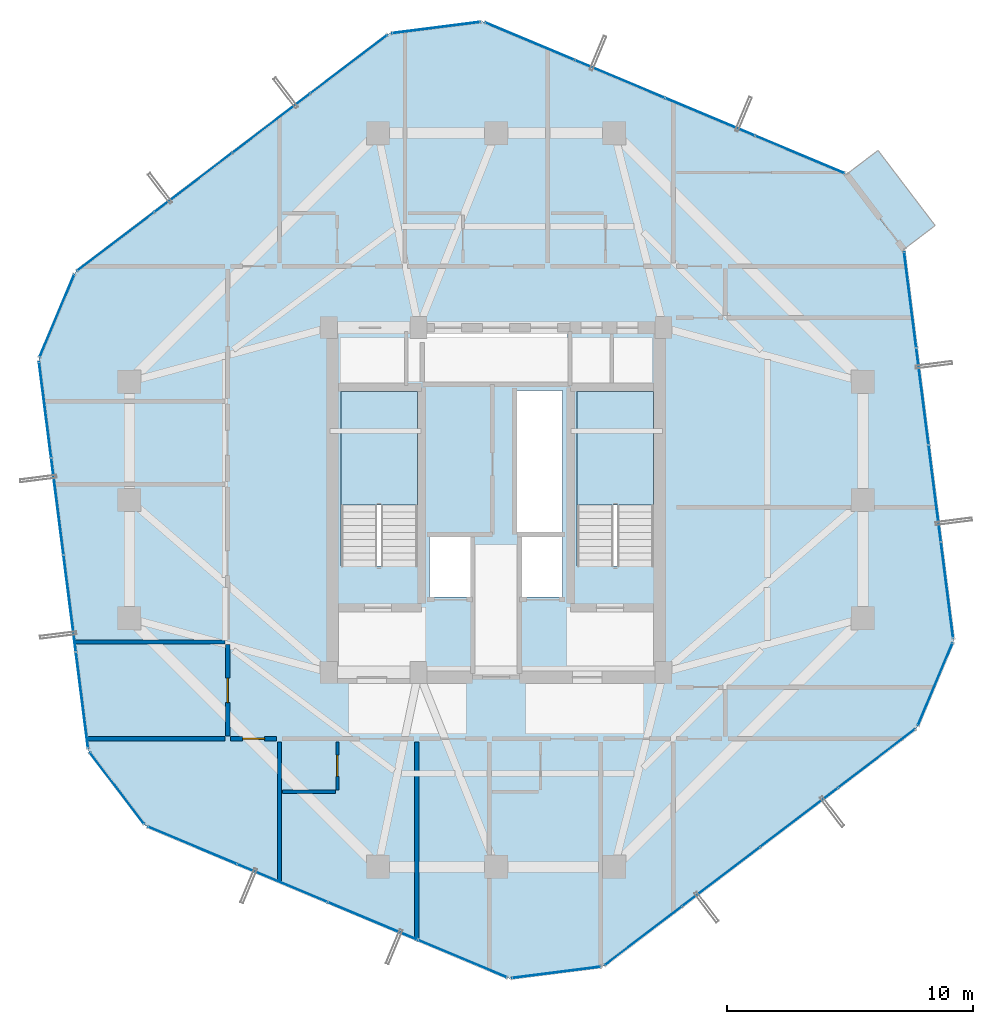
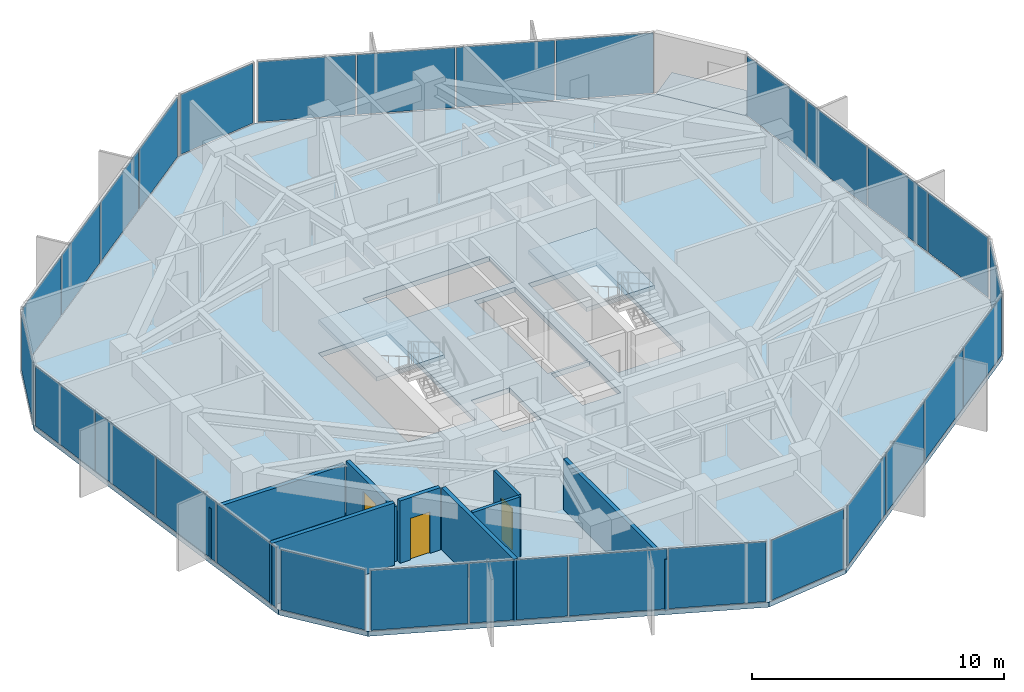
# One storey, part 27 of 32: 29 plates, 8 walls, 4 slabs, 3 doors, 3 openings, 13 elements without a shape of their own.
"""IFC4 building model written with IfcOpenShell, lengths in metres."""

from ifc_helpers import new_model, si_unit, direction, frame, frame_2d, origin, origin_2d, place, context, subcontext, project, spatial, polyline, rectangle, outline, extrude, source, transform, mapped, material, layer, layer_set, type_object, element, fill, aggregate, save


model = new_model("IFC4")

# Units and contexts
model_context = context("Model", 3, precision=1e-05, world=origin(), true_north=direction((0.0, 1.0)))
body_context = subcontext(model_context, "Body", "Model", "MODEL_VIEW")
ifc_project = project(units=[si_unit("LENGTHUNIT", "METRE"), si_unit("AREAUNIT", "SQUARE_METRE"), si_unit("VOLUMEUNIT", "CUBIC_METRE"), si_unit("PLANEANGLEUNIT", "RADIAN"), si_unit("MASSUNIT", "GRAM", prefix="KILO")], contexts=[model_context])

# Site, building, storey
site_placement = place(None, origin())
site = spatial("IfcSite", under=ifc_project, at=site_placement, CompositionType="ELEMENT")
building_placement = place(site_placement, origin())
building = spatial("IfcBuilding", under=site, at=building_placement, Name="Veraguas Prism Commons", CompositionType="ELEMENT")
storey_placement = place(building_placement, frame((0.0, 0.0, 182.10009765625)))
storey = spatial("IfcBuildingStorey", under=building, at=storey_placement, Name="L51", CompositionType="ELEMENT", Elevation=182.10009765625)

# Stair, slab
ifc_material_1 = material(Name="Precast concrete C45/55", Category="concrete")
stair_type = type_object("IfcStairType", Name="Dogleg Core Stair 1480W 20R 05", PredefinedType="HALF_TURN_STAIR", material=ifc_material_1)
stair_1_placement = place(storey_placement, origin())
stair_1 = element("IfcStair", 1, at=stair_1_placement, inside=storey, type_object=stair_type, Name="Protected Exit Stair ST-01 L51", PredefinedType="HALF_TURN_STAIR")
ifc_layer_1 = layer(ifc_material_1, 0.199951171875, Name="Precast Stair and Ramp Landing Slab 200", Category="concrete")
ifc_layer_set_1 = layer_set([ifc_layer_1], Name="Precast concrete C45/55")
slab_type_1 = type_object("IfcSlabType", Name="Precast Stair and Ramp Landing Slab 200", PredefinedType="LANDING", material=ifc_layer_set_1)
slab_1_placement = place(storey_placement, frame((0.0, 0.0, 1.4248046875)))
slab_1 = element("IfcSlab", 2, at=slab_1_placement, type_object=slab_type_1, Name="ST-05 Landing 1", PredefinedType="LANDING", context=body_context, shape_type="SweptSolid", body=[
    extrude(outline(polyline([(20.800048828125, 23.800048828125), (20.800048828125, 28.39990234375), (17.68994140625, 28.39990234375), (17.68994140625, 23.800048828125), (20.800048828125, 23.800048828125)])), origin(), (0.0, 0.0, 1.0), 0.2001953125),
])
aggregate(stair_1, [slab_1])

stair_2_placement = place(storey_placement, origin())
stair_2 = element("IfcStair", 3, at=stair_2_placement, inside=storey, type_object=stair_type, Name="Protected Exit Stair ST-02 L51", PredefinedType="HALF_TURN_STAIR")
slab_2_placement = place(storey_placement, frame((0.0, 0.0, 1.4248046875)))
slab_2 = element("IfcSlab", 4, at=slab_2_placement, type_object=slab_type_1, Name="ST-05 Landing 1", PredefinedType="LANDING", context=body_context, shape_type="SweptSolid", body=[
    extrude(outline(polyline([(30.39990234375, 23.800048828125), (30.39990234375, 28.39990234375), (27.2900390625, 28.39990234375), (27.2900390625, 23.800048828125), (30.39990234375, 23.800048828125)])), origin(), (0.0, 0.0, 1.0), 0.2001953125),
])
aggregate(stair_2, [slab_2])

# Slabs
ifc_material_2 = material(Name="Concrete C45/55", Category="concrete")
ifc_layer_2 = layer(ifc_material_2, 0.219970703125, Name="Recessed Loggia and Terrace Slab RC 220", Category="concrete")
ifc_layer_set_2 = layer_set([ifc_layer_2], Name="Concrete C45/55")
slab_type_2 = type_object("IfcSlabType", Name="Recessed Loggia and Terrace Slab RC 220", PredefinedType="FLOOR", material=ifc_layer_set_2)
slab_3_placement = place(storey_placement, frame((0.0, 0.0, -0.22021484375)))
element("IfcSlab", 5, at=slab_3_placement, inside=storey, type_object=slab_type_2, Name="Recessed Corner Loggia L51-C1", PredefinedType="FLOOR", context=body_context, shape_type="SweptSolid", body=[
    extrude(outline(polyline([(40.54345703125, 34.167236328125), (41.833251953125, 35.1474609375), (39.5126953125, 38.2001953125), (38.22314453125, 37.2197265625), (40.54345703125, 34.167236328125)])), origin(), (0.0, 0.0, 1.0), 0.22021484375),
])
ifc_layer_3 = layer(ifc_material_2, 0.235107421875, Name="Tower Upper Residential Floor Slab RC 235", Category="concrete")
ifc_layer_set_3 = layer_set([ifc_layer_3], Name="Concrete C45/55")
slab_type_3 = type_object("IfcSlabType", Name="Tower Upper Residential Floor Slab RC 235", PredefinedType="FLOOR", material=ifc_layer_set_3)
slab_4_placement = place(storey_placement, frame((0.0, 0.0, -0.235107421875)))
element("IfcSlab", 6, at=slab_4_placement, inside=storey, type_object=slab_type_3, Name="Tower Floor Slab L51", PredefinedType="FLOOR", context=body_context, shape_type="SweptSolid", body=[
    extrude(outline(polyline([(40.559326171875, 34.17919921875), (38.239013671875, 37.23193359375), (23.464111328125, 43.430419921875), (19.660400390625, 42.947265625), (6.90478515625, 33.251220703125), (5.42138671875, 29.71533203125), (7.440673828125, 13.82080078125), (9.760986328125, 10.76806640625), (24.535888671875, 4.569580078125), (28.339599609375, 5.052734375), (41.09521484375, 14.748779296875), (42.57861328125, 18.28466796875), (40.559326171875, 34.17919921875)]), holes=[polyline([(20.800048828125, 21.31005859375), (20.800048828125, 28.39990234375), (17.68994140625, 28.39990234375), (17.68994140625, 21.31005859375), (20.800048828125, 21.31005859375)]), polyline([(30.39990234375, 21.31005859375), (30.39990234375, 28.39990234375), (27.2900390625, 28.39990234375), (27.2900390625, 21.31005859375), (30.39990234375, 21.31005859375)]), polyline([(24.85009765625, 22.64990234375), (26.699951171875, 22.64990234375), (26.699951171875, 28.449951171875), (24.85009765625, 28.449951171875), (24.85009765625, 22.64990234375)]), polyline([(21.10009765625, 28.800048828125), (26.89990234375, 28.800048828125), (26.89990234375, 30.800048828125), (21.10009765625, 30.800048828125), (21.10009765625, 28.800048828125)]), polyline([(21.300048828125, 20.050048828125), (23.050048828125, 20.050048828125), (23.050048828125, 22.550048828125), (21.300048828125, 22.550048828125), (21.300048828125, 20.050048828125)]), polyline([(24.949951171875, 20.050048828125), (26.699951171875, 20.050048828125), (26.699951171875, 22.550048828125), (24.949951171875, 22.550048828125), (24.949951171875, 20.050048828125)])]), origin(), (0.0, 0.0, 1.0), 0.235107421875),
])

# Curtain wall, plates
ifc_material_3 = material(Name="Anodised aluminium EN AW-6063 T6", Category="aluminium")
ifc_layer_4 = layer(ifc_material_3, 0.14990234375, Name="Unitised Flush Curtain Wall Zone 3", Category="aluminium")
ifc_layer_set_4 = layer_set([ifc_layer_4], Name="Anodised aluminium EN AW-6063 T6")
curtain_wall_type = type_object("IfcCurtainWallType", Name="Unitised Flush Curtain Wall Zone 3", PredefinedType="NOTDEFINED", material=ifc_layer_set_4)
curtain_wall_1_placement = place(storey_placement, origin())
curtain_wall_1 = element("IfcCurtainWall", 7, at=curtain_wall_1_placement, inside=storey, type_object=curtain_wall_type, Name="Tower Facade Curtain Wall L51-F1", PredefinedType="NOTDEFINED")
ifc_material_4 = material(Name="Laminated low-e glass", Category="glass")
ifc_layer_5 = layer(ifc_material_4, 0.028076171875, Name="Unitised Double Low-E Glazed Panel 28", Category="glass")
ifc_layer_set_5 = layer_set([ifc_layer_5], Name="Laminated low-e glass")
plate_type = type_object("IfcPlateType", Name="Unitised Double Low-E Glazed Panel 28", PredefinedType="CURTAIN_PANEL", material=ifc_layer_set_5)
shared_shape_1 = source(origin(), body_context, "Body", "SweptSolid", [
    extrude(rectangle(XDim=3.885498046875, YDim=0.028076171875, at=origin_2d()), origin(), (0.0, 0.0, 1.0), 2.905029296875),
])
plate_1_placement = place(storey_placement, frame((36.3369140625, 38.030029296875, 0.0546875), z_axis=(0.0, 0.0, 1.0), x_axis=(-0.922134139047, 0.386870300752, 0.0)))
plate_1 = element("IfcPlate", 8, at=plate_1_placement, type_object=plate_type, Name="CW-Z3 Panel 1.1", PredefinedType="CURTAIN_PANEL", context=body_context, shape_type="MappedRepresentation", body=[
    mapped(shared_shape_1, transform((0.0, 0.0, 0.0), scale=1.0)),
])
plate_2_placement = place(storey_placement, frame((25.366455078125, 42.632568359375, 0.0546875), z_axis=(0.0, 0.0, 1.0), x_axis=(-0.922134139047, 0.386870300752, 0.0)))
plate_2 = element("IfcPlate", 9, at=plate_2_placement, type_object=plate_type, Name="CW-Z3 Panel 4.1", PredefinedType="CURTAIN_PANEL", context=body_context, shape_type="MappedRepresentation", body=[
    mapped(shared_shape_1, transform((0.0, 0.0, 0.0), scale=1.0)),
])

curtain_wall_2_placement = place(storey_placement, origin())
curtain_wall_2 = element("IfcCurtainWall", 10, at=curtain_wall_2_placement, inside=storey, type_object=curtain_wall_type, Name="Tower Facade Curtain Wall L51-F2", PredefinedType="NOTDEFINED")
plate_3_placement = place(storey_placement, frame((18.01806640625, 41.698974609375, 0.0546875), z_axis=(0.0, 0.0, 1.0), x_axis=(-0.796104465545, -0.605159218668, 0.0)))
plate_3 = element("IfcPlate", 11, at=plate_3_placement, type_object=plate_type, Name="CW-Z3 Panel 1.1", PredefinedType="CURTAIN_PANEL", context=body_context, shape_type="MappedRepresentation", body=[
    mapped(shared_shape_1, transform((0.0, 0.0, 0.0), scale=1.0)),
])
plate_4_placement = place(storey_placement, frame((8.547119140625, 34.49951171875, 0.0546875), z_axis=(0.0, 0.0, 1.0), x_axis=(-0.796104465545, -0.605159218668, 0.0)))
plate_4 = element("IfcPlate", 12, at=plate_4_placement, type_object=plate_type, Name="CW-Z3 Panel 4.1", PredefinedType="CURTAIN_PANEL", context=body_context, shape_type="MappedRepresentation", body=[
    mapped(shared_shape_1, transform((0.0, 0.0, 0.0), scale=1.0)),
])

curtain_wall_3_placement = place(storey_placement, origin())
curtain_wall_3 = element("IfcCurtainWall", 13, at=curtain_wall_3_placement, inside=storey, type_object=curtain_wall_type, Name="Tower Facade Curtain Wall L51-F3", PredefinedType="NOTDEFINED")
plate_5_placement = place(storey_placement, frame((5.681396484375, 27.6689453125, 0.0546875), z_axis=(0.0, 0.0, 1.0), x_axis=(0.126018904031, -0.992027840248, 0.0)))
plate_5 = element("IfcPlate", 14, at=plate_5_placement, type_object=plate_type, Name="CW-Z3 Panel 1.1", PredefinedType="CURTAIN_PANEL", context=body_context, shape_type="MappedRepresentation", body=[
    mapped(shared_shape_1, transform((0.0, 0.0, 0.0), scale=1.0)),
])
plate_6_placement = place(storey_placement, frame((7.1806640625, 15.866943359375, 0.0546875), z_axis=(0.0, 0.0, 1.0), x_axis=(0.126018904031, -0.992027840248, 0.0)))
plate_6 = element("IfcPlate", 15, at=plate_6_placement, type_object=plate_type, Name="CW-Z3 Panel 4.1", PredefinedType="CURTAIN_PANEL", context=body_context, shape_type="MappedRepresentation", body=[
    mapped(shared_shape_1, transform((0.0, 0.0, 0.0), scale=1.0)),
])

curtain_wall_4_placement = place(storey_placement, origin())
curtain_wall_4 = element("IfcCurtainWall", 16, at=curtain_wall_4_placement, inside=storey, type_object=curtain_wall_type, Name="Tower Facade Curtain Wall L51-F4", PredefinedType="NOTDEFINED")
plate_7_placement = place(storey_placement, frame((11.6630859375, 9.969970703125, 0.0546875), z_axis=(0.0, 0.0, 1.0), x_axis=(0.922134139047, -0.386870300752, 0.0)))
plate_7 = element("IfcPlate", 17, at=plate_7_placement, type_object=plate_type, Name="CW-Z3 Panel 1.1", PredefinedType="CURTAIN_PANEL", context=body_context, shape_type="MappedRepresentation", body=[
    mapped(shared_shape_1, transform((0.0, 0.0, 0.0), scale=1.0)),
])
plate_8_placement = place(storey_placement, frame((22.633544921875, 5.367431640625, 0.0546875), z_axis=(0.0, 0.0, 1.0), x_axis=(0.922134139047, -0.386870300752, 0.0)))
plate_8 = element("IfcPlate", 18, at=plate_8_placement, type_object=plate_type, Name="CW-Z3 Panel 4.1", PredefinedType="CURTAIN_PANEL", context=body_context, shape_type="MappedRepresentation", body=[
    mapped(shared_shape_1, transform((0.0, 0.0, 0.0), scale=1.0)),
])

curtain_wall_5_placement = place(storey_placement, origin())
curtain_wall_5 = element("IfcCurtainWall", 19, at=curtain_wall_5_placement, inside=storey, type_object=curtain_wall_type, Name="Tower Facade Curtain Wall L51-F5", PredefinedType="NOTDEFINED")
plate_9_placement = place(storey_placement, frame((29.98193359375, 6.301025390625, 0.0546875), z_axis=(0.0, 0.0, 1.0), x_axis=(0.796104465545, 0.605159218668, 0.0)))
plate_9 = element("IfcPlate", 20, at=plate_9_placement, type_object=plate_type, Name="CW-Z3 Panel 1.1", PredefinedType="CURTAIN_PANEL", context=body_context, shape_type="MappedRepresentation", body=[
    mapped(shared_shape_1, transform((0.0, 0.0, 0.0), scale=1.0)),
])
plate_10_placement = place(storey_placement, frame((39.452880859375, 13.50048828125, 0.0546875), z_axis=(0.0, 0.0, 1.0), x_axis=(0.796104465545, 0.605159218668, 0.0)))
plate_10 = element("IfcPlate", 21, at=plate_10_placement, type_object=plate_type, Name="CW-Z3 Panel 4.1", PredefinedType="CURTAIN_PANEL", context=body_context, shape_type="MappedRepresentation", body=[
    mapped(shared_shape_1, transform((0.0, 0.0, 0.0), scale=1.0)),
])

curtain_wall_6_placement = place(storey_placement, origin())
curtain_wall_6 = element("IfcCurtainWall", 22, at=curtain_wall_6_placement, inside=storey, type_object=curtain_wall_type, Name="Tower Facade Curtain Wall L51-F6", PredefinedType="NOTDEFINED")
plate_11_placement = place(storey_placement, frame((42.318603515625, 20.3310546875, 0.0546875), z_axis=(0.0, 0.0, 1.0), x_axis=(-0.126018904031, 0.992027840248, 0.0)))
plate_11 = element("IfcPlate", 23, at=plate_11_placement, type_object=plate_type, Name="CW-Z3 Panel 1.1", PredefinedType="CURTAIN_PANEL", context=body_context, shape_type="MappedRepresentation", body=[
    mapped(shared_shape_1, transform((0.0, 0.0, 0.0), scale=1.0)),
])
plate_12_placement = place(storey_placement, frame((40.8193359375, 32.133056640625, 0.0546875), z_axis=(0.0, 0.0, 1.0), x_axis=(-0.126018904031, 0.992027840248, 0.0)))
plate_12 = element("IfcPlate", 24, at=plate_12_placement, type_object=plate_type, Name="CW-Z3 Panel 4.1", PredefinedType="CURTAIN_PANEL", context=body_context, shape_type="MappedRepresentation", body=[
    mapped(shared_shape_1, transform((0.0, 0.0, 0.0), scale=1.0)),
])

# Plate
shared_shape_2 = source(origin(), body_context, "Body", "SweptSolid", [
    extrude(rectangle(XDim=3.91552734375, YDim=0.028076171875, at=origin_2d()), origin(), (0.0, 0.0, 1.0), 2.905029296875),
])
plate_13_placement = place(storey_placement, frame((32.6845703125, 39.562255859375, 0.0546875), z_axis=(0.0, 0.0, 1.0), x_axis=(-0.922134139047, 0.386870300752, 0.0)))
plate_13 = element("IfcPlate", 25, at=plate_13_placement, type_object=plate_type, Name="CW-Z3 Panel 2.1", PredefinedType="CURTAIN_PANEL", context=body_context, shape_type="MappedRepresentation", body=[
    mapped(shared_shape_2, transform((0.0, 0.0, 0.0), scale=1.0)),
])

plate_14_placement = place(storey_placement, frame((29.0185546875, 41.100341796875, 0.0546875), z_axis=(0.0, 0.0, 1.0), x_axis=(-0.922134139047, 0.386870300752, 0.0)))
plate_14 = element("IfcPlate", 26, at=plate_14_placement, type_object=plate_type, Name="CW-Z3 Panel 3.1", PredefinedType="CURTAIN_PANEL", context=body_context, shape_type="MappedRepresentation", body=[
    mapped(shared_shape_2, transform((0.0, 0.0, 0.0), scale=1.0)),
])

aggregate(curtain_wall_1, [plate_1, plate_13, plate_14, plate_2])

plate_15_placement = place(storey_placement, frame((14.864990234375, 39.30224609375, 0.0546875), z_axis=(0.0, 0.0, 1.0), x_axis=(-0.796104465545, -0.605159218668, 0.0)))
plate_15 = element("IfcPlate", 27, at=plate_15_placement, type_object=plate_type, Name="CW-Z3 Panel 2.1", PredefinedType="CURTAIN_PANEL", context=body_context, shape_type="MappedRepresentation", body=[
    mapped(shared_shape_2, transform((0.0, 0.0, 0.0), scale=1.0)),
])

plate_16_placement = place(storey_placement, frame((11.7001953125, 36.896240234375, 0.0546875), z_axis=(0.0, 0.0, 1.0), x_axis=(-0.796104465545, -0.605159218668, 0.0)))
plate_16 = element("IfcPlate", 28, at=plate_16_placement, type_object=plate_type, Name="CW-Z3 Panel 3.1", PredefinedType="CURTAIN_PANEL", context=body_context, shape_type="MappedRepresentation", body=[
    mapped(shared_shape_2, transform((0.0, 0.0, 0.0), scale=1.0)),
])

aggregate(curtain_wall_2, [plate_3, plate_15, plate_16, plate_4])

plate_17_placement = place(storey_placement, frame((6.180419921875, 23.739990234375, 0.0546875), z_axis=(0.0, 0.0, 1.0), x_axis=(0.126018904031, -0.992027840248, 0.0)))
plate_17 = element("IfcPlate", 29, at=plate_17_placement, type_object=plate_type, Name="CW-Z3 Panel 2.1", PredefinedType="CURTAIN_PANEL", context=body_context, shape_type="MappedRepresentation", body=[
    mapped(shared_shape_2, transform((0.0, 0.0, 0.0), scale=1.0)),
])

plate_18_placement = place(storey_placement, frame((6.681396484375, 19.796142578125, 0.0546875), z_axis=(0.0, 0.0, 1.0), x_axis=(0.126018904031, -0.992027840248, 0.0)))
plate_18 = element("IfcPlate", 30, at=plate_18_placement, type_object=plate_type, Name="CW-Z3 Panel 3.1", PredefinedType="CURTAIN_PANEL", context=body_context, shape_type="MappedRepresentation", body=[
    mapped(shared_shape_2, transform((0.0, 0.0, 0.0), scale=1.0)),
])

aggregate(curtain_wall_3, [plate_5, plate_17, plate_18, plate_6])

plate_19_placement = place(storey_placement, frame((15.3154296875, 8.437744140625, 0.0546875), z_axis=(0.0, 0.0, 1.0), x_axis=(0.922134139047, -0.386870300752, 0.0)))
plate_19 = element("IfcPlate", 31, at=plate_19_placement, type_object=plate_type, Name="CW-Z3 Panel 2.1", PredefinedType="CURTAIN_PANEL", context=body_context, shape_type="MappedRepresentation", body=[
    mapped(shared_shape_2, transform((0.0, 0.0, 0.0), scale=1.0)),
])

plate_20_placement = place(storey_placement, frame((18.9814453125, 6.899658203125, 0.0546875), z_axis=(0.0, 0.0, 1.0), x_axis=(0.922134139047, -0.386870300752, 0.0)))
plate_20 = element("IfcPlate", 32, at=plate_20_placement, type_object=plate_type, Name="CW-Z3 Panel 3.1", PredefinedType="CURTAIN_PANEL", context=body_context, shape_type="MappedRepresentation", body=[
    mapped(shared_shape_2, transform((0.0, 0.0, 0.0), scale=1.0)),
])

aggregate(curtain_wall_4, [plate_7, plate_19, plate_20, plate_8])

plate_21_placement = place(storey_placement, frame((33.135009765625, 8.69775390625, 0.0546875), z_axis=(0.0, 0.0, 1.0), x_axis=(0.796104465545, 0.605159218668, 0.0)))
plate_21 = element("IfcPlate", 33, at=plate_21_placement, type_object=plate_type, Name="CW-Z3 Panel 2.1", PredefinedType="CURTAIN_PANEL", context=body_context, shape_type="MappedRepresentation", body=[
    mapped(shared_shape_2, transform((0.0, 0.0, 0.0), scale=1.0)),
])

plate_22_placement = place(storey_placement, frame((36.2998046875, 11.103759765625, 0.0546875), z_axis=(0.0, 0.0, 1.0), x_axis=(0.796104465545, 0.605159218668, 0.0)))
plate_22 = element("IfcPlate", 34, at=plate_22_placement, type_object=plate_type, Name="CW-Z3 Panel 3.1", PredefinedType="CURTAIN_PANEL", context=body_context, shape_type="MappedRepresentation", body=[
    mapped(shared_shape_2, transform((0.0, 0.0, 0.0), scale=1.0)),
])

aggregate(curtain_wall_5, [plate_9, plate_21, plate_22, plate_10])

plate_23_placement = place(storey_placement, frame((41.819580078125, 24.260009765625, 0.0546875), z_axis=(0.0, 0.0, 1.0), x_axis=(-0.126018904031, 0.992027840248, 0.0)))
plate_23 = element("IfcPlate", 35, at=plate_23_placement, type_object=plate_type, Name="CW-Z3 Panel 2.1", PredefinedType="CURTAIN_PANEL", context=body_context, shape_type="MappedRepresentation", body=[
    mapped(shared_shape_2, transform((0.0, 0.0, 0.0), scale=1.0)),
])

plate_24_placement = place(storey_placement, frame((41.318603515625, 28.203857421875, 0.0546875), z_axis=(0.0, 0.0, 1.0), x_axis=(-0.126018904031, 0.992027840248, 0.0)))
plate_24 = element("IfcPlate", 36, at=plate_24_placement, type_object=plate_type, Name="CW-Z3 Panel 3.1", PredefinedType="CURTAIN_PANEL", context=body_context, shape_type="MappedRepresentation", body=[
    mapped(shared_shape_2, transform((0.0, 0.0, 0.0), scale=1.0)),
])

aggregate(curtain_wall_6, [plate_11, plate_23, plate_24, plate_12])

# Curtain wall, plate
curtain_wall_7_placement = place(storey_placement, origin())
curtain_wall_7 = element("IfcCurtainWall", 37, at=curtain_wall_7_placement, inside=storey, type_object=curtain_wall_type, Name="Chamfer Curtain Wall L51-C4", PredefinedType="NOTDEFINED")
shared_shape_3 = source(origin(), body_context, "Body", "SweptSolid", [
    extrude(rectangle(XDim=3.59423828125, YDim=0.028076171875, at=origin_2d()), origin(), (0.0, 0.0, 1.0), 2.905029296875),
])
plate_25_placement = place(storey_placement, frame((8.600830078125, 12.29443359375, 0.0546875), z_axis=(0.0, 0.0, 1.0), x_axis=(0.605164776511, -0.796100240718, 0.0)))
plate_25 = element("IfcPlate", 38, at=plate_25_placement, type_object=plate_type, Name="CW-Z3 Panel 1.1", PredefinedType="CURTAIN_PANEL", context=body_context, shape_type="MappedRepresentation", body=[
    mapped(shared_shape_3, transform((0.0, 0.0, 0.0), scale=1.0)),
])
aggregate(curtain_wall_7, [plate_25])

curtain_wall_8_placement = place(storey_placement, origin())
curtain_wall_8 = element("IfcCurtainWall", 39, at=curtain_wall_8_placement, inside=storey, type_object=curtain_wall_type, Name="Chamfer Curtain Wall L51-C2", PredefinedType="NOTDEFINED")
shared_shape_4 = source(origin(), body_context, "Body", "SweptSolid", [
    extrude(rectangle(XDim=3.594482421875, YDim=0.028076171875, at=origin_2d()), origin(), (0.0, 0.0, 1.0), 2.905029296875),
])
plate_26_placement = place(storey_placement, frame((21.562255859375, 43.18896484375, 0.0546875), z_axis=(0.0, 0.0, 1.0), x_axis=(-0.992030699271, -0.125996395601, 0.0)))
plate_26 = element("IfcPlate", 40, at=plate_26_placement, type_object=plate_type, Name="CW-Z3 Panel 1.1", PredefinedType="CURTAIN_PANEL", context=body_context, shape_type="MappedRepresentation", body=[
    mapped(shared_shape_4, transform((0.0, 0.0, 0.0), scale=1.0)),
])
aggregate(curtain_wall_8, [plate_26])

curtain_wall_9_placement = place(storey_placement, origin())
curtain_wall_9 = element("IfcCurtainWall", 41, at=curtain_wall_9_placement, inside=storey, type_object=curtain_wall_type, Name="Chamfer Curtain Wall L51-C3", PredefinedType="NOTDEFINED")
plate_27_placement = place(storey_placement, frame((6.1630859375, 31.4833984375, 0.0546875), z_axis=(0.0, 0.0, 1.0), x_axis=(-0.386870300752, -0.922134139047, 0.0)))
plate_27 = element("IfcPlate", 42, at=plate_27_placement, type_object=plate_type, Name="CW-Z3 Panel 1.1", PredefinedType="CURTAIN_PANEL", context=body_context, shape_type="MappedRepresentation", body=[
    mapped(shared_shape_4, transform((0.0, 0.0, 0.0), scale=1.0)),
])
aggregate(curtain_wall_9, [plate_27])

curtain_wall_10_placement = place(storey_placement, origin())
curtain_wall_10 = element("IfcCurtainWall", 43, at=curtain_wall_10_placement, inside=storey, type_object=curtain_wall_type, Name="Chamfer Curtain Wall L51-C5", PredefinedType="NOTDEFINED")
plate_28_placement = place(storey_placement, frame((26.437744140625, 4.81103515625, 0.0546875), z_axis=(0.0, 0.0, 1.0), x_axis=(0.992030699271, 0.125996395601, 0.0)))
plate_28 = element("IfcPlate", 44, at=plate_28_placement, type_object=plate_type, Name="CW-Z3 Panel 1.1", PredefinedType="CURTAIN_PANEL", context=body_context, shape_type="MappedRepresentation", body=[
    mapped(shared_shape_4, transform((0.0, 0.0, 0.0), scale=1.0)),
])
aggregate(curtain_wall_10, [plate_28])

curtain_wall_11_placement = place(storey_placement, origin())
curtain_wall_11 = element("IfcCurtainWall", 45, at=curtain_wall_11_placement, inside=storey, type_object=curtain_wall_type, Name="Chamfer Curtain Wall L51-C6", PredefinedType="NOTDEFINED")
plate_29_placement = place(storey_placement, frame((41.8369140625, 16.5166015625, 0.0546875), z_axis=(0.0, 0.0, 1.0), x_axis=(0.386870300752, 0.922134139047, 0.0)))
plate_29 = element("IfcPlate", 46, at=plate_29_placement, type_object=plate_type, Name="CW-Z3 Panel 1.1", PredefinedType="CURTAIN_PANEL", context=body_context, shape_type="MappedRepresentation", body=[
    mapped(shared_shape_4, transform((0.0, 0.0, 0.0), scale=1.0)),
])
aggregate(curtain_wall_11, [plate_29])

# Walls
ifc_material_5 = material(Name="Autoclaved aerated masonry block 10 MPa", Category="masonry")
ifc_layer_6 = layer(ifc_material_5, 0.179931640625, Name="Corridor and Inter-Tenancy Partition 180", Category="masonry")
ifc_layer_set_6 = layer_set([ifc_layer_6], Name="Autoclaved aerated masonry block 10 MPa")
wall_type_1 = type_object("IfcWallType", Name="Corridor and Inter-Tenancy Partition 180", PredefinedType="PARTITIONING", material=ifc_layer_set_6)
wall_1_placement = place(storey_placement, frame((15.199951171875, 14.179931640625, 0.0), z_axis=(0.0, 0.0, 1.0), x_axis=(0.0, -1.0, 0.0)))
element("IfcWall", 47, at=wall_1_placement, inside=storey, type_object=wall_type_1, Name="WL-L51-PT001", PredefinedType="PARTITIONING", context=body_context, shape_type="SweptSolid", body=[
    extrude(rectangle(XDim=5.726318359375, YDim=0.179931640625, at=frame_2d((2.86328125, 0.0))), origin(), (0.0, 0.0, 1.0), 3.014892578125),
])
wall_2_placement = place(storey_placement, frame((20.77001953125, 14.179931640625, 0.0), z_axis=(0.0, 0.0, 1.0), x_axis=(0.0, -1.0, 0.0)))
element("IfcWall", 48, at=wall_2_placement, inside=storey, type_object=wall_type_1, Name="WL-L51-PT004", PredefinedType="PARTITIONING", context=body_context, shape_type="SweptSolid", body=[
    extrude(rectangle(XDim=8.06298828125, YDim=0.179931640625, at=frame_2d((4.031494140625, 0.0))), origin(), (0.0, 0.0, 1.0), 2.468994140625),
])
wall_3_placement = place(storey_placement, frame((12.97998046875, 14.300048828125, 0.0), z_axis=(0.0, 0.0, 1.0), x_axis=(-1.0, 0.0, 0.0)))
element("IfcWall", 49, at=wall_3_placement, inside=storey, type_object=wall_type_1, Name="WL-L51-PT027", PredefinedType="PARTITIONING", context=body_context, shape_type="SweptSolid", body=[
    extrude(rectangle(XDim=5.63037109375, YDim=0.179931640625, at=frame_2d((2.815185546875, 0.0))), origin(), (0.0, 0.0, 1.0), 3.014892578125),
])

# Wall, opening, door
wall_4_placement = place(storey_placement, frame((13.10009765625, 14.409912109375, 0.0), z_axis=(0.0, 0.0, 1.0), x_axis=(0.0, 1.0, 0.0)))
wall_4 = element("IfcWall", 50, at=wall_4_placement, inside=storey, type_object=wall_type_1, Name="WL-L51-PT029", PredefinedType="PARTITIONING", context=body_context, shape_type="SweptSolid", body=[
    extrude(rectangle(XDim=3.711181640625, YDim=0.179931640625, at=frame_2d((1.85546875, 0.0))), origin(), (0.0, 0.0, 1.0), 2.661865234375),
])
opening_1_placement = place(wall_4_placement, frame((1.35546875, 0.0, 0.0)))
opening_1 = element("IfcOpeningElement", 51, at=opening_1_placement, cuts=wall_4, Name="Opening DR-13", PredefinedType="OPENING", context=body_context, shape_type="SweptSolid", body=[
    extrude(rectangle(XDim=1.0, YDim=2.010009765625, at=frame_2d((0.5, 1.0048828125))), frame((0.0, 0.099853515625, 0.0), z_axis=(0.0, -1.0, 0.0), x_axis=(1.0, 0.0, 0.0)), (0.0, 0.0, 1.0), 0.199951171875),
])
ifc_material_6 = material(Name="Steel fire-rated door assembly", Category="steel")
door_type_1 = type_object("IfcDoorType", Name="Core Accessible WC and Clinic Fire Door 1000x2010", OperationType="NOTDEFINED", PredefinedType="DOOR", material=ifc_material_6)
shared_shape_5 = source(origin(), body_context, "Body", "SweptSolid", [
    extrude(rectangle(XDim=1.0, YDim=2.010009765625, at=frame_2d((0.5, 1.0048828125))), frame((0.0, 0.02490234375, 0.0), z_axis=(0.0, -1.0, 0.0), x_axis=(1.0, 0.0, 0.0)), (0.0, 0.0, 1.0), 0.050048828125),
])
door_1_placement = place(opening_1_placement, origin())
door_1 = element("IfcDoor", 52, at=door_1_placement, inside=storey, type_object=door_type_1, Name="Community Co-op Kitchen Door", OperationType="SINGLE_SWING_RIGHT", OverallHeight=2.010009765625, OverallWidth=1.0, PredefinedType="DOOR", context=body_context, shape_type="MappedRepresentation", body=[
    mapped(shared_shape_5, transform((0.0, 0.0, 0.0), scale=1.0)),
])
fill(opening_1, door_1)

# Wall
wall_5_placement = place(storey_placement, frame((12.97998046875, 18.23095703125, 0.0), z_axis=(0.0, 0.0, 1.0), x_axis=(-1.0, 0.0, 0.0)))
element("IfcWall", 53, at=wall_5_placement, inside=storey, type_object=wall_type_1, Name="WL-L51-PT031", PredefinedType="PARTITIONING", context=body_context, shape_type="SweptSolid", body=[
    extrude(rectangle(XDim=6.1298828125, YDim=0.179931640625, at=frame_2d((3.06494140625, 0.0))), origin(), (0.0, 0.0, 1.0), 2.468994140625),
])

# Wall, opening, door
wall_6_placement = place(storey_placement, frame((13.219970703125, 14.300048828125, 0.0), z_axis=(0.0, 0.0, 1.0), x_axis=(1.0, 0.0, 0.0)))
wall_6 = element("IfcWall", 54, at=wall_6_placement, inside=storey, type_object=wall_type_1, Name="WL-L51-PT043", PredefinedType="PARTITIONING", context=body_context, shape_type="SweptSolid", body=[
    extrude(rectangle(XDim=1.860107421875, YDim=0.179931640625, at=frame_2d((0.93017578125, 0.0))), origin(), (0.0, 0.0, 1.0), 3.014892578125),
])
opening_2_placement = place(wall_6_placement, frame((0.47998046875, 0.0, 0.0)))
opening_2 = element("IfcOpeningElement", 55, at=opening_2_placement, cuts=wall_6, Name="Opening DR-14", PredefinedType="OPENING", context=body_context, shape_type="SweptSolid", body=[
    extrude(rectangle(XDim=0.89990234375, YDim=2.010009765625, at=frame_2d((0.449951171875, 1.0048828125))), frame((0.0, 0.099853515625, 0.0), z_axis=(0.0, -1.0, 0.0), x_axis=(1.0, 0.0, 0.0)), (0.0, 0.0, 1.0), 0.199951171875),
])
door_type_2 = type_object("IfcDoorType", Name="Core Service Room Fire Door 900x2010", OperationType="NOTDEFINED", PredefinedType="DOOR", material=ifc_material_6)
shared_shape_6 = source(origin(), body_context, "Body", "SweptSolid", [
    extrude(rectangle(XDim=0.89990234375, YDim=2.010009765625, at=frame_2d((0.449951171875, 1.0048828125))), frame((0.0, 0.02490234375, 0.0), z_axis=(0.0, -1.0, 0.0), x_axis=(1.0, 0.0, 0.0)), (0.0, 0.0, 1.0), 0.050048828125),
])
door_2_placement = place(opening_2_placement, origin())
door_2 = element("IfcDoor", 56, at=door_2_placement, inside=storey, type_object=door_type_2, Name="Community Co-op Kitchen SW Door", OperationType="SINGLE_SWING_RIGHT", OverallHeight=2.010009765625, OverallWidth=0.89990234375, PredefinedType="DOOR", context=body_context, shape_type="MappedRepresentation", body=[
    mapped(shared_shape_6, transform((0.0, 0.0, 0.0), scale=1.0)),
])
fill(opening_2, door_2)

ifc_material_7 = material(Name="Lightweight acoustic gypsum board")
ifc_layer_7 = layer(ifc_material_7, 0.125, Name="Internal Apartment Room Partition 125")
ifc_layer_set_7 = layer_set([ifc_layer_7], Name="Lightweight acoustic gypsum board")
wall_type_2 = type_object("IfcWallType", Name="Internal Apartment Room Partition 125", PredefinedType="PARTITIONING", material=ifc_layer_set_7)
wall_7_placement = place(storey_placement, frame((17.550048828125, 14.179931640625, 0.0), z_axis=(0.0, 0.0, 1.0), x_axis=(0.0, -1.0, 0.0)))
wall_7 = element("IfcWall", 57, at=wall_7_placement, inside=storey, type_object=wall_type_2, Name="WL-L51-PT006", PredefinedType="PARTITIONING", context=body_context, shape_type="SweptSolid", body=[
    extrude(rectangle(XDim=1.949951171875, YDim=0.125, at=frame_2d((0.97509765625, 0.0))), origin(), (0.0, 0.0, 1.0), 3.014892578125),
])
opening_3_placement = place(wall_7_placement, frame((0.544921875, 0.0, 0.0)))
opening_3 = element("IfcOpeningElement", 58, at=opening_3_placement, cuts=wall_7, Name="Opening DR-03", PredefinedType="OPENING", context=body_context, shape_type="SweptSolid", body=[
    extrude(rectangle(XDim=0.860107421875, YDim=2.010009765625, at=frame_2d((0.43017578125, 1.0048828125))), frame((0.0, 0.072509765625, 0.0), z_axis=(0.0, -1.0, 0.0), x_axis=(1.0, 0.0, 0.0)), (0.0, 0.0, 1.0), 0.14501953125),
])
ifc_material_8 = material(Name="Timber moisture-resistant leaf", Category="wood")
door_type_3 = type_object("IfcDoorType", Name="Internal Bathroom Door 860x2010", OperationType="NOTDEFINED", PredefinedType="DOOR", material=ifc_material_8)
shared_shape_7 = source(origin(), body_context, "Body", "SweptSolid", [
    extrude(rectangle(XDim=0.860107421875, YDim=2.010009765625, at=frame_2d((0.43017578125, 1.0048828125))), frame((0.0, 0.02490234375, 0.0), z_axis=(0.0, -1.0, 0.0), x_axis=(1.0, 0.0, 0.0)), (0.0, 0.0, 1.0), 0.050048828125),
])
door_3_placement = place(opening_3_placement, origin())
door_3 = element("IfcDoor", 59, at=door_3_placement, inside=storey, type_object=door_type_3, Name="Studio 51A Bathroom Door", OperationType="SINGLE_SWING_RIGHT", OverallHeight=2.010009765625, OverallWidth=0.860107421875, PredefinedType="DOOR", context=body_context, shape_type="MappedRepresentation", body=[
    mapped(shared_shape_7, transform((0.0, 0.0, 0.0), scale=1.0)),
])
fill(opening_3, door_3)

# Wall
ifc_layer_8 = layer(ifc_material_7, 0.14990234375, Name="Wet Room and Clinic Acoustic Partition 150")
ifc_layer_set_8 = layer_set([ifc_layer_8], Name="Lightweight acoustic gypsum board")
wall_type_3 = type_object("IfcWallType", Name="Wet Room and Clinic Acoustic Partition 150", PredefinedType="PARTITIONING", material=ifc_layer_set_8)
wall_8_placement = place(storey_placement, frame((15.320068359375, 12.14990234375, 0.0), z_axis=(0.0, 0.0, 1.0), x_axis=(1.0, 0.0, 0.0)))
element("IfcWall", 60, at=wall_8_placement, inside=storey, type_object=wall_type_3, Name="WL-L51-PT007", PredefinedType="PARTITIONING", context=body_context, shape_type="SweptSolid", body=[
    extrude(rectangle(XDim=2.14990234375, YDim=0.14990234375, at=frame_2d((1.074951171875, 0.0))), origin(), (0.0, 0.0, 1.0), 3.014892578125),
])

save(model, "model.ifc")
